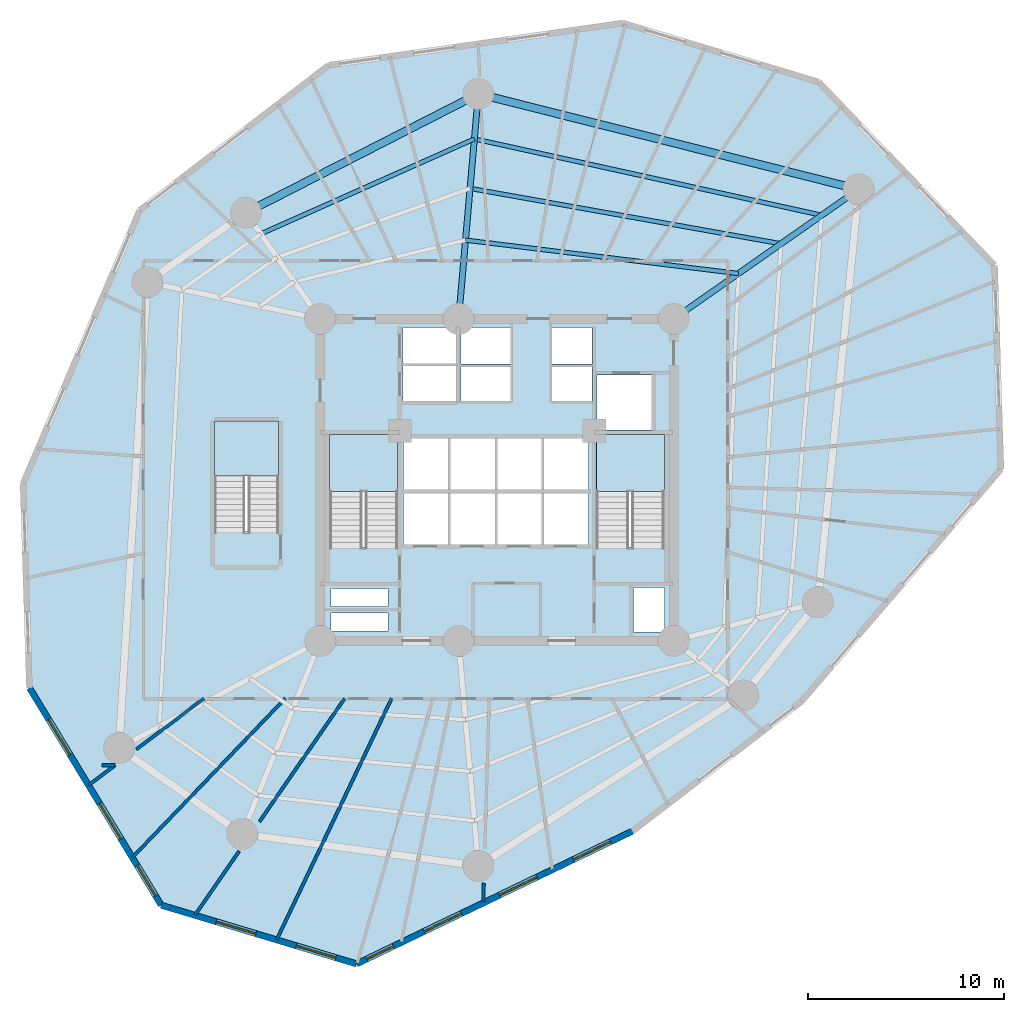
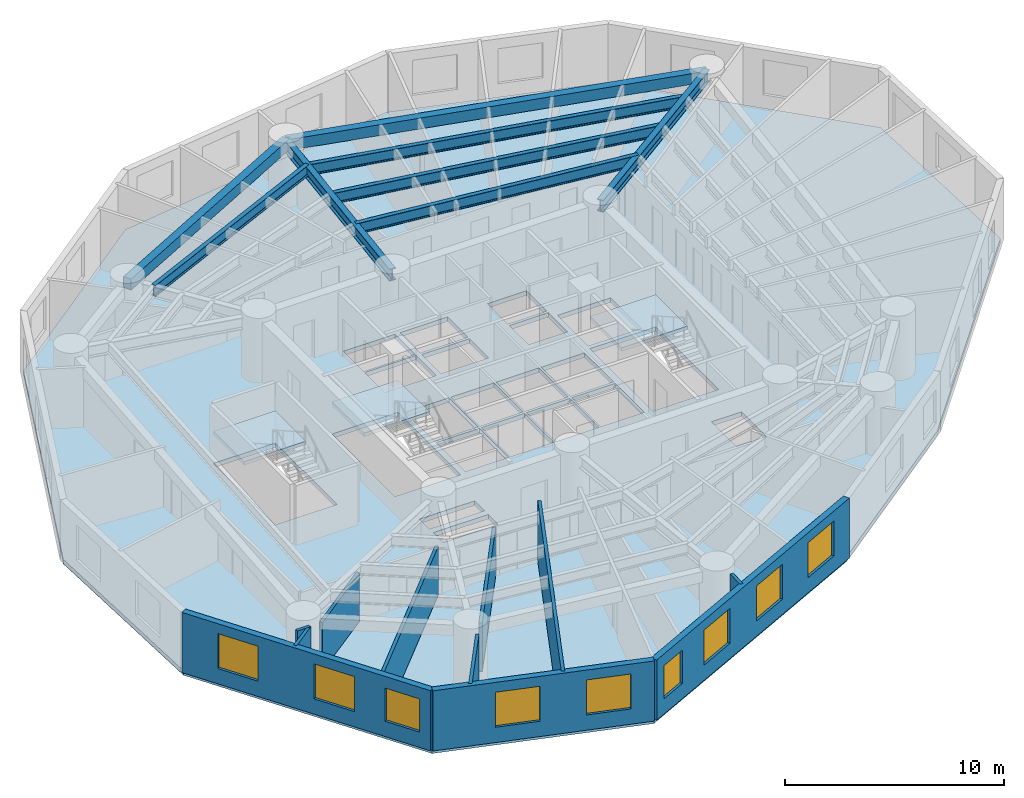
# One storey, part 2 of 8: 11 walls, 9 windows, 8 beams, 4 slabs, 9 openings, 3 elements without a shape of their own.
"""IFC4 building model written with IfcOpenShell, lengths in metres."""

from ifc_helpers import new_model, si_unit, direction, frame, frame_2d, origin, origin_with_axes, origin_2d, place, context, subcontext, project, spatial, polyline, rectangle, i_section, outline, extrude, source, transform, mapped, material, layer, layer_set, material_profile, profile_set, type_object, element, fill, aggregate, save


model = new_model("IFC4")

# Units and contexts
model_context = context("Model", 3, precision=1e-05, world=origin(), true_north=direction((0.0, 1.0)))
body_context = subcontext(model_context, "Body", "Model", "MODEL_VIEW")
ifc_project = project(units=[si_unit("LENGTHUNIT", "METRE"), si_unit("AREAUNIT", "SQUARE_METRE"), si_unit("VOLUMEUNIT", "CUBIC_METRE"), si_unit("PLANEANGLEUNIT", "RADIAN"), si_unit("MASSUNIT", "GRAM", prefix="KILO")], contexts=[model_context])

# Site, building, storey
site_placement = place(None, origin())
site = spatial("IfcSite", under=ifc_project, at=site_placement, CompositionType="ELEMENT")
building_placement = place(site_placement, origin())
building = spatial("IfcBuilding", under=site, at=building_placement, Name="Karkom Vertical University and Central Library", CompositionType="ELEMENT")
storey_placement = place(building_placement, frame((0.0, 0.0, 51.699951171875)))
storey = spatial("IfcBuildingStorey", under=building, at=storey_placement, Name="L13", CompositionType="ELEMENT", Elevation=51.699951171875)

# Beams
ifc_material_1 = material(Name="Steel S355", Category="steel")
ifc_material_profile_1 = material_profile(ifc_material_1, i_section(OverallWidth=0.300048828125, OverallDepth=0.64990234375, WebThickness=0.01611328125, FlangeThickness=0.031005859375, FilletRadius=0.027099609375, at=origin_2d()), Name="HE 650 B")
ifc_profile_set_1 = profile_set([ifc_material_profile_1], Name="Steel S355")
beam_type_1 = type_object("IfcBeamType", Name="STR-BM-SB-HE650", PredefinedType="USERDEFINED", material=ifc_profile_set_1)
shared_shape_1 = source(origin_with_axes(), body_context, "Body", "SweptSolid", [
    extrude(i_section(OverallWidth=0.300048828125, OverallDepth=0.64990234375, WebThickness=0.01611328125, FlangeThickness=0.031005859375, FilletRadius=0.027099609375, at=origin_2d()), origin(), (0.0, 0.0, 1.0), 11.49951171875),
])
beam_1_placement = place(storey_placement, frame((37.5, 34.699951171875, 3.025146484375), z_axis=(0.81915012564, 0.573579176457, 0.0), x_axis=(-0.573579176457, 0.81915012564, 0.0)))
element("IfcBeam", 1, at=beam_1_placement, inside=storey, type_object=beam_type_1, Name="Level 13 Radial Frame Girder 02", ObjectType="GIRDER", PredefinedType="USERDEFINED", context=body_context, shape_type="MappedRepresentation", body=[
    mapped(shared_shape_1, transform((0.0, 0.0, 0.0), scale=1.0)),
])
shared_shape_2 = source(origin_with_axes(), body_context, "Body", "SweptSolid", [
    extrude(i_section(OverallWidth=0.300048828125, OverallDepth=0.64990234375, WebThickness=0.01611328125, FlangeThickness=0.031005859375, FilletRadius=0.027099609375, at=origin_2d()), origin(), (0.0, 0.0, 1.0), 11.499755859375),
])
beam_2_placement = place(storey_placement, frame((26.550048828125, 34.699951171875, 3.025146484375), z_axis=(0.087127973109, 0.99619712723, 0.0), x_axis=(-0.99619712723, 0.087127973109, 0.0)))
element("IfcBeam", 2, at=beam_2_placement, inside=storey, type_object=beam_type_1, Name="Level 13 Radial Frame Girder 03", ObjectType="GIRDER", PredefinedType="USERDEFINED", context=body_context, shape_type="MappedRepresentation", body=[
    mapped(shared_shape_2, transform((0.0, 0.0, 0.0), scale=1.0)),
])
ifc_material_2 = material(Name="Precast concrete C45/55", Category="concrete")
ifc_material_profile_2 = material_profile(ifc_material_2, rectangle(XDim=0.39990234375, YDim=0.60009765625, at=origin_2d()), Name="SPB-400x600")
ifc_profile_set_2 = profile_set([ifc_material_profile_2], Name="Precast concrete C45/55")
beam_type_2 = type_object("IfcBeamType", Name="STR-BM-SP-1", PredefinedType="SPANDREL", material=ifc_profile_set_2)
shared_shape_3 = source(origin_with_axes(), body_context, "Body", "SweptSolid", [
    extrude(rectangle(XDim=0.39990234375, YDim=0.60009765625, at=origin_2d()), origin(), (0.0, 0.0, 1.0), 19.968505859375),
])
beam_3_placement = place(storey_placement, frame((46.919921875, 41.2958984375, 3.050048828125), z_axis=(-0.969928522391, 0.243389937039, 0.0), x_axis=(-0.243389937039, -0.969928522391, 0.0)))
element("IfcBeam", 3, at=beam_3_placement, inside=storey, type_object=beam_type_2, Name="Level 13 Perimeter Spandrel Beam 02", PredefinedType="SPANDREL", context=body_context, shape_type="MappedRepresentation", body=[
    mapped(shared_shape_3, transform((0.0, 0.0, 0.0), scale=1.0)),
])
shared_shape_4 = source(origin_with_axes(), body_context, "Body", "SweptSolid", [
    extrude(rectangle(XDim=0.39990234375, YDim=0.60009765625, at=origin_2d()), origin(), (0.0, 0.0, 1.0), 13.29443359375),
])
beam_4_placement = place(storey_placement, frame((27.552001953125, 46.156005859375, 3.050048828125), z_axis=(-0.890447746793, -0.455085497716, 0.0), x_axis=(0.455085497716, -0.890447746793, 0.0)))
element("IfcBeam", 4, at=beam_4_placement, inside=storey, type_object=beam_type_2, Name="Level 13 Perimeter Spandrel Beam 03", PredefinedType="SPANDREL", context=body_context, shape_type="MappedRepresentation", body=[
    mapped(shared_shape_4, transform((0.0, 0.0, 0.0), scale=1.0)),
])
ifc_material_profile_3 = material_profile(ifc_material_1, i_section(OverallWidth=0.219970703125, OverallDepth=0.60009765625, WebThickness=0.011962890625, FlangeThickness=0.01904296875, FilletRadius=0.02392578125, at=origin_2d()), Name="IPE 600")
ifc_profile_set_3 = profile_set([ifc_material_profile_3], Name="Steel S355")
beam_type_3 = type_object("IfcBeamType", Name="STR-BM-SB-IPE600", PredefinedType="BEAM", material=ifc_profile_set_3)
shared_shape_5 = source(origin_with_axes(), body_context, "Body", "SweptSolid", [
    extrude(i_section(OverallWidth=0.219970703125, OverallDepth=0.60009765625, WebThickness=0.011962890625, FlangeThickness=0.01904296875, FilletRadius=0.02392578125, at=origin_2d()), origin(), (0.0, 0.0, 1.0), 14.000244140625),
])
beam_5_placement = place(storey_placement, frame((40.797119140625, 37.008544921875, 3.050048828125), z_axis=(-0.992590166403, 0.121510335198, 0.0), x_axis=(-0.121510335198, -0.992590166403, 0.0)))
element("IfcBeam", 5, at=beam_5_placement, inside=storey, type_object=beam_type_3, Name="Level 13 Secondary Composite Floor Beam 1.02", PredefinedType="BEAM", context=body_context, shape_type="MappedRepresentation", body=[
    mapped(shared_shape_5, transform((0.0, 0.0, 0.0), scale=1.0)),
])
shared_shape_6 = source(origin_with_axes(), body_context, "Body", "SweptSolid", [
    extrude(i_section(OverallWidth=0.219970703125, OverallDepth=0.60009765625, WebThickness=0.011962890625, FlangeThickness=0.01904296875, FilletRadius=0.02392578125, at=origin_2d()), origin(), (0.0, 0.0, 1.0), 16.08154296875),
])
beam_6_placement = place(storey_placement, frame((42.963623046875, 38.525634765625, 3.050048828125), z_axis=(-0.984517708807, 0.175285142111, 0.0), x_axis=(-0.175285142111, -0.984517708807, 0.0)))
element("IfcBeam", 6, at=beam_6_placement, inside=storey, type_object=beam_type_3, Name="Level 13 Secondary Composite Floor Beam 2.02", PredefinedType="BEAM", context=body_context, shape_type="MappedRepresentation", body=[
    mapped(shared_shape_6, transform((0.0, 0.0, 0.0), scale=1.0)),
])
shared_shape_7 = source(origin_with_axes(), body_context, "Body", "SweptSolid", [
    extrude(i_section(OverallWidth=0.219970703125, OverallDepth=0.60009765625, WebThickness=0.011962890625, FlangeThickness=0.01904296875, FilletRadius=0.02392578125, at=origin_2d()), origin(), (0.0, 0.0, 1.0), 18.106689453125),
])
beam_7_placement = place(storey_placement, frame((45.035888671875, 39.976806640625, 3.050048828125), z_axis=(-0.976674731786, 0.214724167926, 0.0), x_axis=(-0.214724167926, -0.976674731786, 0.0)))
element("IfcBeam", 7, at=beam_7_placement, inside=storey, type_object=beam_type_3, Name="Level 13 Secondary Composite Floor Beam 3.02", PredefinedType="BEAM", context=body_context, shape_type="MappedRepresentation", body=[
    mapped(shared_shape_7, transform((0.0, 0.0, 0.0), scale=1.0)),
])
shared_shape_8 = source(origin_with_axes(), body_context, "Body", "SweptSolid", [
    extrude(i_section(OverallWidth=0.219970703125, OverallDepth=0.60009765625, WebThickness=0.011962890625, FlangeThickness=0.01904296875, FilletRadius=0.02392578125, at=origin_2d()), origin(), (0.0, 0.0, 1.0), 11.908203125),
])
beam_8_placement = place(storey_placement, frame((27.3515625, 43.86474609375, 3.050048828125), z_axis=(-0.913682996781, -0.406427584441, 0.0), x_axis=(0.406427584441, -0.913682996781, 0.0)))
element("IfcBeam", 8, at=beam_8_placement, inside=storey, type_object=beam_type_3, Name="Level 13 Secondary Composite Floor Beam 3.03", PredefinedType="BEAM", context=body_context, shape_type="MappedRepresentation", body=[
    mapped(shared_shape_8, transform((0.0, 0.0, 0.0), scale=1.0)),
])

# Stair, slab
ifc_material_3 = material(Name="Concrete C45/55", Category="concrete")
stair_type_1 = type_object("IfcStairType", Name="INT-STR-ST-MAIN", PredefinedType="HALF_TURN_STAIR", material=ifc_material_3)
stair_1_placement = place(storey_placement, origin())
stair_1 = element("IfcStair", 9, at=stair_1_placement, inside=storey, type_object=stair_type_1, Name="Level 13 Tower Protected Exit Stair ST-1", PredefinedType="HALF_TURN_STAIR")
ifc_layer_1 = layer(ifc_material_3, 0.199951171875)
ifc_layer_set_1 = layer_set([ifc_layer_1], Name="Concrete C45/55")
slab_type_1 = type_object("IfcSlabType", Name="INT-SLB-LANDING", PredefinedType="LANDING", material=ifc_layer_set_1)
slab_1_placement = place(storey_placement, frame((0.0, 0.0, 1.60009765625)))
slab_1 = element("IfcSlab", 10, at=slab_1_placement, type_object=slab_type_1, Name="ST-1 landing 1", PredefinedType="LANDING", context=body_context, shape_type="SweptSolid", body=[
    extrude(outline(polyline([(23.43994140625, 25.919921875), (23.43994140625, 28.820068359375), (19.97998046875, 28.820068359375), (19.97998046875, 25.919921875), (23.43994140625, 25.919921875)])), origin(), (0.0, 0.0, 1.0), 0.199951171875),
])
aggregate(stair_1, [slab_1])

stair_2_placement = place(storey_placement, origin())
stair_2 = element("IfcStair", 11, at=stair_2_placement, inside=storey, type_object=stair_type_1, Name="Level 13 Tower Protected Exit Stair ST-2", PredefinedType="HALF_TURN_STAIR")
slab_2_placement = place(storey_placement, frame((0.0, 0.0, 1.60009765625)))
slab_2 = element("IfcSlab", 12, at=slab_2_placement, type_object=slab_type_1, Name="ST-2 landing 1", PredefinedType="LANDING", context=body_context, shape_type="SweptSolid", body=[
    extrude(outline(polyline([(37.02001953125, 25.919921875), (37.02001953125, 28.820068359375), (33.56005859375, 28.820068359375), (33.56005859375, 25.919921875), (37.02001953125, 25.919921875)])), origin(), (0.0, 0.0, 1.0), 0.199951171875),
])
aggregate(stair_2, [slab_2])

stair_type_2 = type_object("IfcStairType", Name="INT-STR-ST-SEC", PredefinedType="HALF_TURN_STAIR", material=ifc_material_3)
stair_3_placement = place(storey_placement, origin())
stair_3 = element("IfcStair", 13, at=stair_3_placement, inside=storey, type_object=stair_type_2, Name="Level 13 Academic Zone Protected Exit Stair ST-3", PredefinedType="HALF_TURN_STAIR")
slab_3_placement = place(storey_placement, frame((0.0, 0.0, 1.60009765625)))
slab_3 = element("IfcSlab", 14, at=slab_3_placement, type_object=slab_type_1, Name="ST-3 landing 1", PredefinedType="LANDING", context=body_context, shape_type="SweptSolid", body=[
    extrude(outline(polyline([(17.3798828125, 26.699951171875), (17.3798828125, 29.5), (14.1201171875, 29.5), (14.1201171875, 26.699951171875), (17.3798828125, 26.699951171875)])), origin(), (0.0, 0.0, 1.0), 0.199951171875),
])
aggregate(stair_3, [slab_3])

# Slab
ifc_layer_2 = layer(ifc_material_3, 0.25)
ifc_layer_set_2 = layer_set([ifc_layer_2], Name="Concrete C45/55")
slab_type_2 = type_object("IfcSlabType", Name="STR-SLB-FLR-250", PredefinedType="FLOOR", material=ifc_layer_set_2)
slab_4_placement = place(storey_placement, frame((0.0, 0.0, -0.25)))
element("IfcSlab", 15, at=slab_4_placement, inside=storey, type_object=slab_type_2, Name="Level 13 Tower Structural Floor Slab", PredefinedType="FLOOR", context=body_context, shape_type="SweptSolid", body=[
    extrude(outline(polyline([(19.9375, 47.618408203125), (10.3076171875, 40.223876953125), (4.37451171875, 26.316650390625), (4.697021484375, 15.907470703125), (11.403564453125, 4.84228515625), (21.355224609375, 1.85009765625), (35.402099609375, 8.61181640625), (44.0, 15.214111328125), (54.158935546875, 27.039306640625), (53.837158203125, 37.42626953125), (44.878173828125, 46.761962890625), (34.905029296875, 49.760498046875), (19.9375, 47.618408203125)]), holes=[polyline([(19.97998046875, 23.0849609375), (23.43994140625, 23.0849609375), (23.43994140625, 28.820068359375), (19.97998046875, 28.820068359375), (19.97998046875, 23.0849609375)]), polyline([(33.56005859375, 23.0849609375), (37.02001953125, 23.0849609375), (37.02001953125, 28.820068359375), (33.56005859375, 28.820068359375), (33.56005859375, 23.0849609375)]), polyline([(14.1201171875, 23.864990234375), (17.3798828125, 23.864990234375), (17.3798828125, 29.5), (14.1201171875, 29.5), (14.1201171875, 23.864990234375)]), polyline([(23.75, 23.199951171875), (26.030029296875, 23.199951171875), (26.030029296875, 25.85009765625), (23.75, 25.85009765625), (23.75, 23.199951171875)]), polyline([(26.1298828125, 23.199951171875), (28.409912109375, 23.199951171875), (28.409912109375, 25.85009765625), (26.1298828125, 25.85009765625), (26.1298828125, 23.199951171875)]), polyline([(28.510009765625, 23.199951171875), (30.7900390625, 23.199951171875), (30.7900390625, 25.85009765625), (28.510009765625, 25.85009765625), (28.510009765625, 23.199951171875)]), polyline([(30.889892578125, 23.199951171875), (33.169921875, 23.199951171875), (33.169921875, 25.85009765625), (30.889892578125, 25.85009765625), (30.889892578125, 23.199951171875)]), polyline([(23.75, 26.0), (26.030029296875, 26.0), (26.030029296875, 28.64990234375), (23.75, 28.64990234375), (23.75, 26.0)]), polyline([(26.1298828125, 26.0), (28.409912109375, 26.0), (28.409912109375, 28.64990234375), (26.1298828125, 28.64990234375), (26.1298828125, 26.0)]), polyline([(28.510009765625, 26.0), (30.7900390625, 26.0), (30.7900390625, 28.64990234375), (28.510009765625, 28.64990234375), (28.510009765625, 26.0)]), polyline([(30.889892578125, 26.0), (33.169921875, 26.0), (33.169921875, 28.64990234375), (30.889892578125, 28.64990234375), (30.889892578125, 26.0)]), polyline([(26.679931640625, 30.5), (29.199951171875, 30.5), (29.199951171875, 32.25), (26.679931640625, 32.25), (26.679931640625, 30.5)]), polyline([(26.679931640625, 32.39990234375), (29.199951171875, 32.39990234375), (29.199951171875, 34.25), (26.679931640625, 34.25), (26.679931640625, 32.39990234375)]), polyline([(31.300048828125, 30.5), (33.35009765625, 30.5), (33.35009765625, 32.25), (31.300048828125, 32.25), (31.300048828125, 30.5)]), polyline([(31.300048828125, 32.39990234375), (33.35009765625, 32.39990234375), (33.35009765625, 34.25), (31.300048828125, 34.25), (31.300048828125, 32.39990234375)]), polyline([(23.719970703125, 30.47998046875), (26.429931640625, 30.47998046875), (26.429931640625, 32.320068359375), (23.719970703125, 32.320068359375), (23.719970703125, 30.47998046875)]), polyline([(23.719970703125, 32.419921875), (26.429931640625, 32.419921875), (26.429931640625, 34.260009765625), (23.719970703125, 34.260009765625), (23.719970703125, 32.419921875)]), polyline([(33.60009765625, 29.050048828125), (36.39990234375, 29.050048828125), (36.39990234375, 31.85009765625), (33.60009765625, 31.85009765625), (33.60009765625, 29.050048828125)]), polyline([(20.050048828125, 18.820068359375), (22.949951171875, 18.820068359375), (22.949951171875, 19.719970703125), (20.050048828125, 19.719970703125), (20.050048828125, 18.820068359375)]), polyline([(20.050048828125, 20.06005859375), (22.949951171875, 20.06005859375), (22.949951171875, 20.9599609375), (20.050048828125, 20.9599609375), (20.050048828125, 20.06005859375)]), polyline([(35.4599609375, 18.760009765625), (37.0400390625, 18.760009765625), (37.0400390625, 21.010009765625), (35.4599609375, 21.010009765625), (35.4599609375, 18.760009765625)])]), origin(), (0.0, 0.0, 1.0), 0.25),
])

# Wall, openings, windows
ifc_material_4 = material(Name="Brick-faced precast concrete C45/55", Category="masonry")
ifc_layer_3 = layer(ifc_material_4, 0.320068359375)
ifc_layer_set_3 = layer_set([ifc_layer_3], Name="Brick-faced precast concrete C45/55")
wall_type_1 = type_object("IfcWallType", Name="ENV-WL-BRK-320", PredefinedType="SOLIDWALL", material=ifc_layer_set_3)
wall_1_placement = place(storey_placement, frame((4.697021484375, 15.907470703125, 0.0), z_axis=(0.0, 0.0, 1.0), x_axis=(0.518322624818, -0.85518515925, 0.0)))
wall_1 = element("IfcWall", 16, at=wall_1_placement, inside=storey, type_object=wall_type_1, Name="Level 13 Brick-Faced Precast Facade Wall 04", PredefinedType="SOLIDWALL", context=body_context, shape_type="SweptSolid", body=[
    extrude(rectangle(XDim=12.93896484375, YDim=0.320068359375, at=frame_2d((6.469482421875, 0.0))), origin(), (0.0, 0.0, 1.0), 3.35009765625),
])
opening_1_placement = place(wall_1_placement, frame((1.874755859375, 0.0, 0.85009765625)))
opening_1 = element("IfcOpeningElement", 17, at=opening_1_placement, cuts=wall_1, Name="Opening WN-03", PredefinedType="OPENING", context=body_context, shape_type="SweptSolid", body=[
    extrude(rectangle(XDim=2.10009765625, YDim=1.949951171875, at=frame_2d((1.050048828125, 0.97509765625))), frame((0.0, 0.169921875, 0.0), z_axis=(0.0, -1.0, 0.0), x_axis=(1.0, 0.0, 0.0)), (0.0, 0.0, 1.0), 0.340087890625),
])
opening_2_placement = place(wall_1_placement, frame((6.8857421875, 0.0, 0.85009765625)))
opening_2 = element("IfcOpeningElement", 18, at=opening_2_placement, cuts=wall_1, Name="Opening WN-03", PredefinedType="OPENING", context=body_context, shape_type="SweptSolid", body=[
    extrude(rectangle(XDim=2.10009765625, YDim=1.949951171875, at=frame_2d((1.050048828125, 0.97509765625))), frame((0.0, 0.169921875, 0.0), z_axis=(0.0, -1.0, 0.0), x_axis=(1.0, 0.0, 0.0)), (0.0, 0.0, 1.0), 0.340087890625),
])
opening_3_placement = place(wall_1_placement, frame((10.58056640625, 0.0, 0.85009765625)))
opening_3 = element("IfcOpeningElement", 19, at=opening_3_placement, cuts=wall_1, Name="Opening WN-04", PredefinedType="OPENING", context=body_context, shape_type="SweptSolid", body=[
    extrude(rectangle(XDim=1.800048828125, YDim=1.85009765625, at=frame_2d((0.89990234375, 0.925048828125))), frame((0.0, 0.169921875, 0.0), z_axis=(0.0, -1.0, 0.0), x_axis=(1.0, 0.0, 0.0)), (0.0, 0.0, 1.0), 0.340087890625),
])
ifc_material_5 = material(Name="Aluminium thermal-break frame with solar-control IGU", Category="aluminium")
window_type_1 = type_object("IfcWindowType", Name="ENV-WIN-WN-03", PartitioningType="SINGLE_PANEL", PredefinedType="WINDOW", material=ifc_material_5)
shared_shape_9 = source(origin_with_axes(), body_context, "Body", "SweptSolid", [
    extrude(rectangle(XDim=2.10009765625, YDim=1.949951171875, at=frame_2d((1.050048828125, 0.97509765625))), frame((0.0, 0.030029296875, 0.0), z_axis=(0.0, -1.0, 0.0), x_axis=(1.0, 0.0, 0.0)), (0.0, 0.0, 1.0), 0.06005859375),
])
window_1_placement = place(opening_1_placement, origin())
window_1 = element("IfcWindow", 20, at=window_1_placement, inside=storey, type_object=window_type_1, Name="Level 13 Punched Window 4.1", OverallHeight=1.949951171875, OverallWidth=2.10009765625, PartitioningType="SINGLE_PANEL", PredefinedType="WINDOW", context=body_context, shape_type="MappedRepresentation", body=[
    mapped(shared_shape_9, transform((0.0, 0.0, 0.0), scale=1.0)),
])
fill(opening_1, window_1)
window_2_placement = place(opening_2_placement, origin())
window_2 = element("IfcWindow", 21, at=window_2_placement, inside=storey, type_object=window_type_1, Name="Level 13 Punched Window 4.2", OverallHeight=1.949951171875, OverallWidth=2.10009765625, PartitioningType="SINGLE_PANEL", PredefinedType="WINDOW", context=body_context, shape_type="MappedRepresentation", body=[
    mapped(shared_shape_9, transform((0.0, 0.0, 0.0), scale=1.0)),
])
fill(opening_2, window_2)
window_type_2 = type_object("IfcWindowType", Name="ENV-WIN-WN-04", PartitioningType="SINGLE_PANEL", PredefinedType="WINDOW", material=ifc_material_5)
shared_shape_10 = source(origin_with_axes(), body_context, "Body", "SweptSolid", [
    extrude(rectangle(XDim=1.800048828125, YDim=1.85009765625, at=frame_2d((0.89990234375, 0.925048828125))), frame((0.0, 0.030029296875, 0.0), z_axis=(0.0, -1.0, 0.0), x_axis=(1.0, 0.0, 0.0)), (0.0, 0.0, 1.0), 0.06005859375),
])
window_3_placement = place(opening_3_placement, origin())
window_3 = element("IfcWindow", 22, at=window_3_placement, inside=storey, type_object=window_type_2, Name="Level 13 Punched Window 4.3", OverallHeight=1.85009765625, OverallWidth=1.800048828125, PartitioningType="SINGLE_PANEL", PredefinedType="WINDOW", context=body_context, shape_type="MappedRepresentation", body=[
    mapped(shared_shape_10, transform((0.0, 0.0, 0.0), scale=1.0)),
])
fill(opening_3, window_3)

wall_2_placement = place(storey_placement, frame((11.403564453125, 4.84228515625, 0.0), z_axis=(0.0, 0.0, 1.0), x_axis=(0.957648930715, -0.287938405742, 0.0)))
wall_2 = element("IfcWall", 23, at=wall_2_placement, inside=storey, type_object=wall_type_1, Name="Level 13 Brick-Faced Precast Facade Wall 05", PredefinedType="SOLIDWALL", context=body_context, shape_type="SweptSolid", body=[
    extrude(rectangle(XDim=10.391845703125, YDim=0.320068359375, at=frame_2d((5.19580078125, 0.0))), origin(), (0.0, 0.0, 1.0), 3.35009765625),
])
opening_4_placement = place(wall_2_placement, frame((2.927490234375, 0.0, 0.85009765625)))
opening_4 = element("IfcOpeningElement", 24, at=opening_4_placement, cuts=wall_2, Name="Opening WN-03", PredefinedType="OPENING", context=body_context, shape_type="SweptSolid", body=[
    extrude(rectangle(XDim=2.10009765625, YDim=1.949951171875, at=frame_2d((1.050048828125, 0.97509765625))), frame((0.0, 0.169921875, 0.0), z_axis=(0.0, -1.0, 0.0), x_axis=(1.0, 0.0, 0.0)), (0.0, 0.0, 1.0), 0.340087890625),
])
opening_5_placement = place(wall_2_placement, frame((7.18896484375, 0.0, 0.85009765625)))
opening_5 = element("IfcOpeningElement", 25, at=opening_5_placement, cuts=wall_2, Name="Opening WN-03", PredefinedType="OPENING", context=body_context, shape_type="SweptSolid", body=[
    extrude(rectangle(XDim=2.10009765625, YDim=1.949951171875, at=frame_2d((1.050048828125, 0.97509765625))), frame((0.0, 0.169921875, 0.0), z_axis=(0.0, -1.0, 0.0), x_axis=(1.0, 0.0, 0.0)), (0.0, 0.0, 1.0), 0.340087890625),
])
window_4_placement = place(opening_4_placement, origin())
window_4 = element("IfcWindow", 26, at=window_4_placement, inside=storey, type_object=window_type_1, Name="Level 13 Punched Window 5.1", OverallHeight=1.949951171875, OverallWidth=2.10009765625, PartitioningType="SINGLE_PANEL", PredefinedType="WINDOW", context=body_context, shape_type="MappedRepresentation", body=[
    mapped(shared_shape_9, transform((0.0, 0.0, 0.0), scale=1.0)),
])
fill(opening_4, window_4)
window_5_placement = place(opening_5_placement, origin())
window_5 = element("IfcWindow", 27, at=window_5_placement, inside=storey, type_object=window_type_1, Name="Level 13 Punched Window 5.2", OverallHeight=1.949951171875, OverallWidth=2.10009765625, PartitioningType="SINGLE_PANEL", PredefinedType="WINDOW", context=body_context, shape_type="MappedRepresentation", body=[
    mapped(shared_shape_9, transform((0.0, 0.0, 0.0), scale=1.0)),
])
fill(opening_5, window_5)

wall_3_placement = place(storey_placement, frame((21.355224609375, 1.85009765625, 0.0), z_axis=(0.0, 0.0, 1.0), x_axis=(0.901041567046, 0.433732745427, 0.0)))
wall_3 = element("IfcWall", 28, at=wall_3_placement, inside=storey, type_object=wall_type_1, Name="Level 13 Brick-Faced Precast Facade Wall 06", PredefinedType="SOLIDWALL", context=body_context, shape_type="SweptSolid", body=[
    extrude(rectangle(XDim=15.589599609375, YDim=0.320068359375, at=frame_2d((7.794921875, 0.0))), origin(), (0.0, 0.0, 1.0), 3.35009765625),
])
opening_6_placement = place(wall_3_placement, frame((0.572998046875, 0.0, 0.85009765625)))
opening_6 = element("IfcOpeningElement", 29, at=opening_6_placement, cuts=wall_3, Name="Opening WN-05", PredefinedType="OPENING", context=body_context, shape_type="SweptSolid", body=[
    extrude(rectangle(XDim=1.5, YDim=1.85009765625, at=frame_2d((0.75, 0.925048828125))), frame((0.0, 0.169921875, 0.0), z_axis=(0.0, -1.0, 0.0), x_axis=(1.0, 0.0, 0.0)), (0.0, 0.0, 1.0), 0.340087890625),
])
opening_7_placement = place(wall_3_placement, frame((3.826416015625, 0.0, 0.85009765625)))
opening_7 = element("IfcOpeningElement", 30, at=opening_7_placement, cuts=wall_3, Name="Opening WN-03", PredefinedType="OPENING", context=body_context, shape_type="SweptSolid", body=[
    extrude(rectangle(XDim=2.10009765625, YDim=1.949951171875, at=frame_2d((1.050048828125, 0.97509765625))), frame((0.0, 0.169921875, 0.0), z_axis=(0.0, -1.0, 0.0), x_axis=(1.0, 0.0, 0.0)), (0.0, 0.0, 1.0), 0.340087890625),
])
opening_8_placement = place(wall_3_placement, frame((8.080078125, 0.0, 0.85009765625)))
opening_8 = element("IfcOpeningElement", 31, at=opening_8_placement, cuts=wall_3, Name="Opening WN-03", PredefinedType="OPENING", context=body_context, shape_type="SweptSolid", body=[
    extrude(rectangle(XDim=2.10009765625, YDim=1.949951171875, at=frame_2d((1.050048828125, 0.97509765625))), frame((0.0, 0.169921875, 0.0), z_axis=(0.0, -1.0, 0.0), x_axis=(1.0, 0.0, 0.0)), (0.0, 0.0, 1.0), 0.340087890625),
])
opening_9_placement = place(wall_3_placement, frame((12.25244140625, 0.0, 0.85009765625)))
opening_9 = element("IfcOpeningElement", 32, at=opening_9_placement, cuts=wall_3, Name="Opening WN-03", PredefinedType="OPENING", context=body_context, shape_type="SweptSolid", body=[
    extrude(rectangle(XDim=2.10009765625, YDim=1.949951171875, at=frame_2d((1.050048828125, 0.97509765625))), frame((0.0, 0.169921875, 0.0), z_axis=(0.0, -1.0, 0.0), x_axis=(1.0, 0.0, 0.0)), (0.0, 0.0, 1.0), 0.340087890625),
])
window_6_placement = place(opening_7_placement, origin())
window_6 = element("IfcWindow", 33, at=window_6_placement, inside=storey, type_object=window_type_1, Name="Level 13 Punched Window 6.2", OverallHeight=1.949951171875, OverallWidth=2.10009765625, PartitioningType="SINGLE_PANEL", PredefinedType="WINDOW", context=body_context, shape_type="MappedRepresentation", body=[
    mapped(shared_shape_9, transform((0.0, 0.0, 0.0), scale=1.0)),
])
fill(opening_7, window_6)
window_7_placement = place(opening_8_placement, origin())
window_7 = element("IfcWindow", 34, at=window_7_placement, inside=storey, type_object=window_type_1, Name="Level 13 Punched Window 6.3", OverallHeight=1.949951171875, OverallWidth=2.10009765625, PartitioningType="SINGLE_PANEL", PredefinedType="WINDOW", context=body_context, shape_type="MappedRepresentation", body=[
    mapped(shared_shape_9, transform((0.0, 0.0, 0.0), scale=1.0)),
])
fill(opening_8, window_7)
window_8_placement = place(opening_9_placement, origin())
window_8 = element("IfcWindow", 35, at=window_8_placement, inside=storey, type_object=window_type_1, Name="Level 13 Punched Window 6.4", OverallHeight=1.949951171875, OverallWidth=2.10009765625, PartitioningType="SINGLE_PANEL", PredefinedType="WINDOW", context=body_context, shape_type="MappedRepresentation", body=[
    mapped(shared_shape_9, transform((0.0, 0.0, 0.0), scale=1.0)),
])
fill(opening_9, window_8)
window_type_3 = type_object("IfcWindowType", Name="ENV-WIN-WN-05", PartitioningType="SINGLE_PANEL", PredefinedType="WINDOW", material=ifc_material_5)
shared_shape_11 = source(origin_with_axes(), body_context, "Body", "SweptSolid", [
    extrude(rectangle(XDim=1.5, YDim=1.85009765625, at=frame_2d((0.75, 0.925048828125))), frame((0.0, 0.030029296875, 0.0), z_axis=(0.0, -1.0, 0.0), x_axis=(1.0, 0.0, 0.0)), (0.0, 0.0, 1.0), 0.06005859375),
])
window_9_placement = place(opening_6_placement, origin())
window_9 = element("IfcWindow", 36, at=window_9_placement, inside=storey, type_object=window_type_3, Name="Level 13 Punched Window 6.1", OverallHeight=1.85009765625, OverallWidth=1.5, PartitioningType="SINGLE_PANEL", PredefinedType="WINDOW", context=body_context, shape_type="MappedRepresentation", body=[
    mapped(shared_shape_11, transform((0.0, 0.0, 0.0), scale=1.0)),
])
fill(opening_6, window_9)

# Walls
ifc_material_6 = material(Name="Insulated metal-stud drywall 160mm", Category="gypsum")
ifc_layer_4 = layer(ifc_material_6, 0.159912109375)
ifc_layer_set_4 = layer_set([ifc_layer_4], Name="Insulated metal-stud drywall 160mm")
wall_type_2 = type_object("IfcWallType", Name="INT-WL-COR-160", PredefinedType="PARTITIONING", material=ifc_layer_set_4)
wall_4_placement = place(storey_placement, frame((23.1376953125, 15.377197265625, 0.0), z_axis=(0.0, 0.0, 1.0), x_axis=(-0.429888980845, -0.902881755352, 0.0)))
element("IfcWall", 37, at=wall_4_placement, inside=storey, type_object=wall_type_2, Name="Level 13 Interior Partition Wall L13-PW-009", PredefinedType="PARTITIONING", context=body_context, shape_type="SweptSolid", body=[
    extrude(rectangle(XDim=13.599365234375, YDim=0.159912109375, at=frame_2d((6.7998046875, 0.0))), origin(), (0.0, 0.0, 1.0), 3.35009765625),
])
wall_5_placement = place(storey_placement, frame((17.728515625, 15.38232421875, 0.0), z_axis=(0.0, 0.0, 1.0), x_axis=(-0.693058284243, -0.720881553823, 0.0)))
element("IfcWall", 38, at=wall_5_placement, inside=storey, type_object=wall_type_2, Name="Level 13 Interior Partition Wall L13-PW-006", PredefinedType="PARTITIONING", context=body_context, shape_type="SweptSolid", body=[
    extrude(rectangle(XDim=11.222900390625, YDim=0.159912109375, at=frame_2d((5.611328125, 0.0))), origin(), (0.0, 0.0, 1.0), 2.699951171875),
])
wall_6_placement = place(storey_placement, frame((20.7451171875, 15.374755859375, 0.0), z_axis=(0.0, 0.0, 1.0), x_axis=(-0.568218054663, -0.822878023984, 0.0)))
element("IfcWall", 39, at=wall_6_placement, inside=storey, type_object=wall_type_2, Name="Level 13 Interior Partition Wall L13-PW-007", PredefinedType="PARTITIONING", context=body_context, shape_type="SweptSolid", body=[
    extrude(rectangle(XDim=7.631103515625, YDim=0.159912109375, at=frame_2d((3.8154296875, 0.0))), origin(), (0.0, 0.0, 1.0), 2.699951171875),
])
wall_7_placement = place(storey_placement, frame((13.580322265625, 15.367919921875, 0.0), z_axis=(0.0, 0.0, 1.0), x_axis=(-0.799564281906, -0.600580518416, 0.0)))
element("IfcWall", 40, at=wall_7_placement, inside=storey, type_object=wall_type_2, Name="Level 13 Interior Partition Wall L13-PW-003", PredefinedType="PARTITIONING", context=body_context, shape_type="SweptSolid", body=[
    extrude(rectangle(XDim=4.305419921875, YDim=0.159912109375, at=frame_2d((2.15283203125, 0.0))), origin(), (0.0, 0.0, 1.0), 2.699951171875),
])
wall_8_placement = place(storey_placement, frame((15.37109375, 7.592041015625, 0.0), z_axis=(0.0, 0.0, 1.0), x_axis=(-0.568245690221, -0.822858940247, 0.0)))
element("IfcWall", 41, at=wall_8_placement, inside=storey, type_object=wall_type_2, Name="Level 13 Interior Partition Wall L13-PW-008", PredefinedType="PARTITIONING", context=body_context, shape_type="SweptSolid", body=[
    extrude(rectangle(XDim=3.93798828125, YDim=0.159912109375, at=frame_2d((1.968994140625, 0.0))), origin(), (0.0, 0.0, 1.0), 3.35009765625),
])
wall_9_placement = place(storey_placement, frame((9.06201171875, 11.97412109375, 0.0), z_axis=(0.0, 0.0, 1.0), x_axis=(-0.799510594392, -0.600651986974, 0.0)))
element("IfcWall", 42, at=wall_9_placement, inside=storey, type_object=wall_type_2, Name="Level 13 Interior Partition Wall L13-PW-005", PredefinedType="PARTITIONING", context=body_context, shape_type="SweptSolid", body=[
    extrude(rectangle(XDim=1.677001953125, YDim=0.159912109375, at=frame_2d((0.83837890625, 0.0))), origin(), (0.0, 0.0, 1.0), 3.35009765625),
])
wall_10_placement = place(storey_placement, frame((27.829833984375, 5.964111328125, 0.0), z_axis=(0.0, 0.0, 1.0), x_axis=(-0.029582063466, -0.999562354994, 0.0)))
element("IfcWall", 43, at=wall_10_placement, inside=storey, type_object=wall_type_2, Name="Level 13 Interior Partition Wall L13-PW-013", PredefinedType="PARTITIONING", context=body_context, shape_type="SweptSolid", body=[
    extrude(rectangle(XDim=0.94091796875, YDim=0.159912109375, at=frame_2d((0.470458984375, 0.0))), origin(), (0.0, 0.0, 1.0), 3.35009765625),
])
wall_11_placement = place(storey_placement, frame((8.3779296875, 11.97412109375, 0.0), z_axis=(0.0, 0.0, 1.0), x_axis=(1.0, 0.0, 0.0)))
element("IfcWall", 44, at=wall_11_placement, inside=storey, type_object=wall_type_2, Name="Level 13 Interior Partition Wall L13-PW-004", PredefinedType="PARTITIONING", context=body_context, shape_type="SweptSolid", body=[
    extrude(rectangle(XDim=0.68408203125, YDim=0.159912109375, at=frame_2d((0.342041015625, 0.0))), origin(), (0.0, 0.0, 1.0), 3.35009765625),
])

save(model, "model.ifc")
